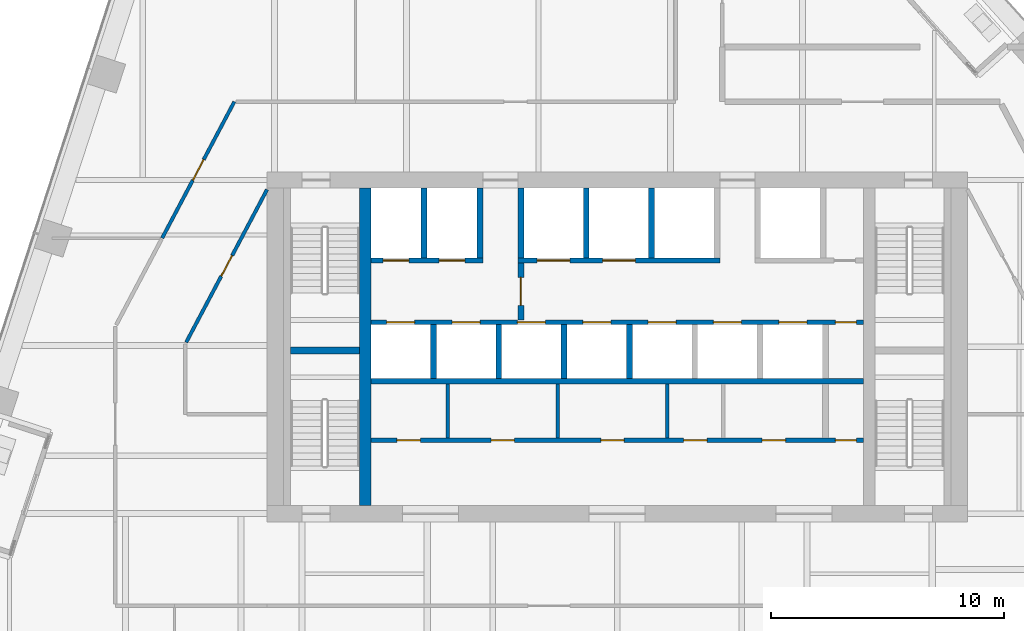
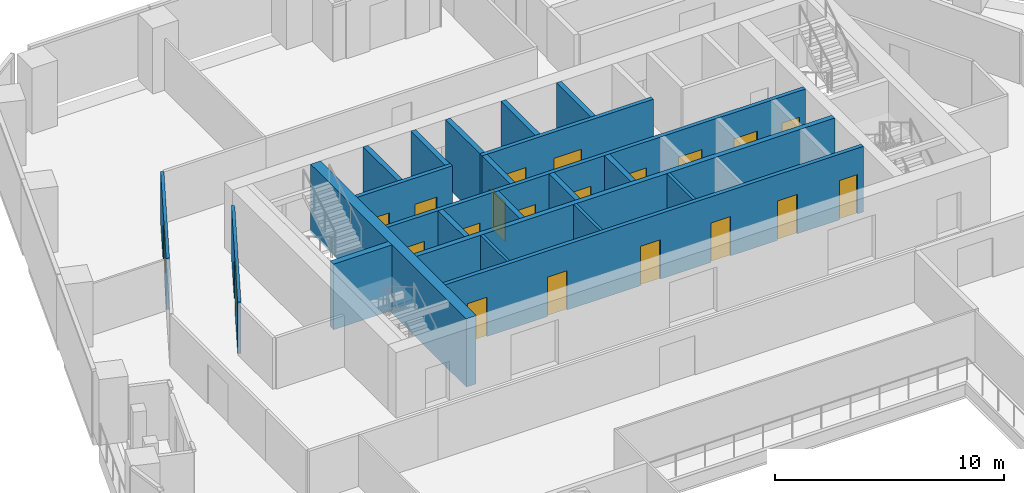
# One storey, part 19 of 25: 22 walls, 21 doors, 21 openings.
"""IFC4 building model written with IfcOpenShell, lengths in metres."""

from ifc_helpers import new_model, si_unit, direction, frame, frame_2d, origin, place, context, subcontext, project, spatial, rectangle, extrude, material, layer, layer_set, type_object, element, fill, save


model = new_model("IFC4")

# Units and contexts
model_context = context("Model", 3, precision=1e-05, world=origin(), true_north=direction((0.0, 1.0)))
body_context = subcontext(model_context, "Body", "Model", "MODEL_VIEW")
ifc_project = project(units=[si_unit("LENGTHUNIT", "METRE"), si_unit("AREAUNIT", "SQUARE_METRE"), si_unit("VOLUMEUNIT", "CUBIC_METRE"), si_unit("PLANEANGLEUNIT", "RADIAN"), si_unit("MASSUNIT", "GRAM", prefix="KILO")], contexts=[model_context])

# Site, building, storey
site_placement = place(None, origin())
site = spatial("IfcSite", under=ifc_project, at=site_placement, CompositionType="ELEMENT")
building_placement = place(site_placement, origin())
building = spatial("IfcBuilding", under=site, at=building_placement, Name="Isthmus Gate Tower", CompositionType="ELEMENT")
storey_placement = place(building_placement, frame((0.0, 0.0, 174.449951171875)))
storey = spatial("IfcBuildingStorey", under=building, at=storey_placement, Name="L43", CompositionType="ELEMENT", Elevation=174.449951171875)

# Wall, opening, door
ifc_material_1 = material(Name="Gypsum board on steel studs, fire-rated", Category="steel")
ifc_layer_1 = layer(ifc_material_1, 0.14990234375)
ifc_layer_set_1 = layer_set([ifc_layer_1], Name="CORRIDOR WALL 150 60 MIN")
wall_type_1 = type_object("IfcWallType", Name="CORRIDOR WALL 150 60 MIN", PredefinedType="PARTITIONING", material=ifc_layer_set_1)
wall_1_placement = place(storey_placement, frame((-15.0, 14.239013671875, 0.0), z_axis=(0.0, 0.0, 1.0), x_axis=(-0.467834708812, -0.88381597928, 0.0)))
wall_1 = element("IfcWall", 1, at=wall_1_placement, inside=storey, type_object=wall_type_1, Name="L43 Corridor Wall 150 60 Min", PredefinedType="PARTITIONING", context=body_context, shape_type="SweptSolid", body=[
    extrude(rectangle(XDim=7.40625, YDim=0.14990234375, at=frame_2d((3.703125, 0.0))), origin(), (0.0, 0.0, 1.0), 2.7412109375),
])
opening_1_placement = place(wall_1_placement, frame((3.203125, 0.0, 0.0)))
opening_1 = element("IfcOpeningElement", 2, at=opening_1_placement, cuts=wall_1, Name="Opening DT-T4A-04", PredefinedType="OPENING", context=body_context, shape_type="SweptSolid", body=[
    extrude(rectangle(XDim=1.0, YDim=2.10009765625, at=frame_2d((0.5, 1.050048828125))), frame((0.0, 0.0849609375, 0.0), z_axis=(0.0, -1.0, 0.0), x_axis=(1.0, 0.0, 0.0)), (0.0, 0.0, 1.0), 0.169921875),
])
ifc_material_2 = material(Name="Solid core timber door leaf, fire-rated", Category="wood")
door_type_1 = type_object("IfcDoorType", Name="FIRE DOOR ROOM 1000 X 2100 60 MIN", OperationType="SINGLE_SWING_LEFT", PredefinedType="DOOR", material=ifc_material_2)
door_1_placement = place(opening_1_placement, origin())
door_1 = element("IfcDoor", 3, at=door_1_placement, inside=storey, type_object=door_type_1, Name="L43 room door", OperationType="SINGLE_SWING_RIGHT", OverallHeight=2.10009765625, OverallWidth=1.0, PredefinedType="DOOR", context=body_context, shape_type="SweptSolid", body=[
    extrude(rectangle(XDim=1.0, YDim=2.10009765625, at=frame_2d((0.5, 1.050048828125))), frame((0.0, 0.02490234375, 0.0), z_axis=(0.0, -1.0, 0.0), x_axis=(1.0, 0.0, 0.0)), (0.0, 0.0, 1.0), 0.050048828125),
])
fill(opening_1, door_1)

wall_2_placement = place(storey_placement, frame((-19.4970703125, 12.156005859375, 0.0), z_axis=(0.0, 0.0, 1.0), x_axis=(0.467901291368, 0.883780731593, 0.0)))
wall_2 = element("IfcWall", 4, at=wall_2_placement, inside=storey, type_object=wall_type_1, Name="L43 Corridor Wall 150 60 Min", PredefinedType="PARTITIONING", context=body_context, shape_type="SweptSolid", body=[
    extrude(rectangle(XDim=6.612548828125, YDim=0.14990234375, at=frame_2d((3.30615234375, 0.0))), origin(), (0.0, 0.0, 1.0), 2.7412109375),
])
opening_2_placement = place(wall_2_placement, frame((2.806396484375, 0.0, 0.0)))
opening_2 = element("IfcOpeningElement", 5, at=opening_2_placement, cuts=wall_2, Name="Opening DT-T4A-03", PredefinedType="OPENING", context=body_context, shape_type="SweptSolid", body=[
    extrude(rectangle(XDim=1.0, YDim=2.10009765625, at=frame_2d((0.5, 1.050048828125))), frame((0.0, 0.0849609375, 0.0), z_axis=(0.0, -1.0, 0.0), x_axis=(1.0, 0.0, 0.0)), (0.0, 0.0, 1.0), 0.169921875),
])
door_2_placement = place(opening_2_placement, origin())
door_2 = element("IfcDoor", 6, at=door_2_placement, inside=storey, type_object=door_type_1, Name="L43 room door", OperationType="SINGLE_SWING_RIGHT", OverallHeight=2.10009765625, OverallWidth=1.0, PredefinedType="DOOR", context=body_context, shape_type="SweptSolid", body=[
    extrude(rectangle(XDim=1.0, YDim=2.10009765625, at=frame_2d((0.5, 1.050048828125))), frame((0.0, 0.02490234375, 0.0), z_axis=(0.0, -1.0, 0.0), x_axis=(1.0, 0.0, 0.0)), (0.0, 0.0, 1.0), 0.050048828125),
])
fill(opening_2, door_2)

ifc_material_3 = material(Name="Fire-rated blockwork masonry, 15 MPa", Category="masonry")
ifc_layer_2 = layer(ifc_material_3, 0.25)
ifc_layer_set_2 = layer_set([ifc_layer_2], Name="FIRE-FIGHTING LOBBY WALL 250 90 MIN")
wall_type_2 = type_object("IfcWallType", Name="FIRE-FIGHTING LOBBY WALL 250 90 MIN", PredefinedType="PARTITIONING", material=ifc_layer_set_2)
wall_3_placement = place(storey_placement, frame((-4.125, 8.64990234375, 0.0), z_axis=(0.0, 0.0, 1.0), x_axis=(0.0, 1.0, 0.0)))
wall_3 = element("IfcWall", 7, at=wall_3_placement, inside=storey, type_object=wall_type_2, Name="L43 FIRE-FIGHTING LOBBY WALL 250 90 MIN", PredefinedType="PARTITIONING", context=body_context, shape_type="SweptSolid", body=[
    extrude(rectangle(XDim=2.4501953125, YDim=0.25, at=frame_2d((1.22509765625, 0.0))), origin(), (0.0, 0.0, 1.0), 3.5),
])
opening_3_placement = place(wall_3_placement, frame((0.625, 0.0, 0.0)))
opening_3 = element("IfcOpeningElement", 8, at=opening_3_placement, cuts=wall_3, Name="Opening DC-A10-01", PredefinedType="OPENING", context=body_context, shape_type="SweptSolid", body=[
    extrude(rectangle(XDim=1.199951171875, YDim=2.10009765625, at=frame_2d((0.60009765625, 1.050048828125))), frame((0.0, 0.135009765625, 0.0), z_axis=(0.0, -1.0, 0.0), x_axis=(1.0, 0.0, 0.0)), (0.0, 0.0, 1.0), 0.27001953125),
])
ifc_material_4 = material(Name="Steel door leaf, fire-rated", Category="steel")
door_type_2 = type_object("IfcDoorType", Name="LOBBY FIRE DOOR 1200 X 2100 90 MIN", OperationType="DOUBLE_DOOR_SINGLE_SWING", PredefinedType="DOOR", material=ifc_material_4)
door_3_placement = place(opening_3_placement, origin())
door_3 = element("IfcDoor", 9, at=door_3_placement, inside=storey, type_object=door_type_2, Name="Fire-fighting Lobby Door", OperationType="SINGLE_SWING_LEFT", OverallHeight=2.10009765625, OverallWidth=1.199951171875, PredefinedType="DOOR", context=body_context, shape_type="SweptSolid", body=[
    extrude(rectangle(XDim=1.199951171875, YDim=2.10009765625, at=frame_2d((0.60009765625, 1.050048828125))), frame((0.0, 0.02490234375, 0.0), z_axis=(0.0, -1.0, 0.0), x_axis=(1.0, 0.0, 0.0)), (0.0, 0.0, 1.0), 0.050048828125),
])
fill(opening_3, door_3)

# Walls
ifc_material_5 = material(Name="Concrete f'c 60 MPa", Category="concrete")
ifc_layer_3 = layer(ifc_material_5, 0.5)
ifc_layer_set_3 = layer_set([ifc_layer_3], Name="RC CORE SPINE WALL 500 F'C 60")
wall_type_3 = type_object("IfcWallType", Name="RC CORE SPINE WALL 500 F'C 60", PredefinedType="SOLIDWALL", material=ifc_layer_set_3)
wall_4_placement = place(storey_placement, frame((-10.800048828125, 0.699951171875, -0.14990234375), z_axis=(0.0, 0.0, 1.0), x_axis=(0.0, 1.0, 0.0)))
element("IfcWall", 10, at=wall_4_placement, inside=storey, type_object=wall_type_3, Name="str-corewall-L43-SPW", PredefinedType="SOLIDWALL", context=body_context, shape_type="SweptSolid", body=[
    extrude(rectangle(XDim=13.60009765625, YDim=0.5, at=frame_2d((6.800048828125, 0.0))), origin(), (0.0, 0.0, 1.0), 3.64990234375),
])
ifc_material_6 = material(Name="Gypsum board on steel studs, fire-rated", Category="steel")
ifc_layer_4 = layer(ifc_material_6, 0.14990234375)
ifc_layer_set_4 = layer_set([ifc_layer_4], Name="ROOM PARTITION 150 60 MIN")
wall_type_4 = type_object("IfcWallType", Name="ROOM PARTITION 150 60 MIN", PredefinedType="PARTITIONING", material=ifc_layer_set_4)
for number, where, z_axis, x_axis, name in (
    (11, (-7.25, 3.60009765625, 0.0), (0.0, 0.0, 1.0), (0.0, 1.0, 0.0), "L43 ROOM PARTITION 150 60 MIN"),
    (12, (-2.550048828125, 3.60009765625, 0.0), (0.0, 0.0, 1.0), (0.0, 1.0, 0.0), "L43 ROOM PARTITION 150 60 MIN"),
    (13, (2.14990234375, 3.60009765625, 0.0), (0.0, 0.0, 1.0), (0.0, 1.0, 0.0), "L43 ROOM PARTITION 150 60 MIN"),
):
    element("IfcWall", number, at=place(storey_placement, frame(where, z_axis=z_axis, x_axis=x_axis)), inside=storey, type_object=wall_type_4, Name=name, PredefinedType="PARTITIONING", context=body_context, shape_type="SweptSolid", body=[
        extrude(rectangle(XDim=2.2998046875, YDim=0.14990234375, at=frame_2d((1.14990234375, 0.0))), origin(), (0.0, 0.0, 1.0), 3.5),
    ])

# Wall, openings, doors
ifc_material_7 = material(Name="Fire-rated blockwork masonry, 15 MPa", Category="masonry")
ifc_layer_5 = layer(ifc_material_7, 0.199951171875)
ifc_layer_set_5 = layer_set([ifc_layer_5], Name="SHAFT FRONT WALL 200 120 MIN")
wall_type_5 = type_object("IfcWallType", Name="SHAFT FRONT WALL 200 120 MIN", PredefinedType="PARTITIONING", material=ifc_layer_set_5)
wall_5_placement = place(storey_placement, frame((-10.550048828125, 3.5, 0.0), z_axis=(0.0, 0.0, 1.0), x_axis=(1.0, 0.0, 0.0)))
wall_5 = element("IfcWall", 14, at=wall_5_placement, inside=storey, type_object=wall_type_5, Name="L43 SHAFT FRONT WALL 200 120 MIN", PredefinedType="PARTITIONING", context=body_context, shape_type="SweptSolid", body=[
    extrude(rectangle(XDim=21.10009765625, YDim=0.199951171875, at=frame_2d((10.550048828125, 0.0))), origin(), (0.0, 0.0, 1.0), 3.5),
])
opening_4_placement = place(wall_5_placement, frame((1.112548828125, 0.0, 0.0)))
opening_4 = element("IfcOpeningElement", 15, at=opening_4_placement, cuts=wall_5, Name="Opening DC-A10-02", PredefinedType="OPENING", context=body_context, shape_type="SweptSolid", body=[
    extrude(rectangle(XDim=1.0, YDim=2.10009765625, at=frame_2d((0.5, 1.050048828125))), frame((0.0, 0.10986328125, 0.0), z_axis=(0.0, -1.0, 0.0), x_axis=(1.0, 0.0, 0.0)), (0.0, 0.0, 1.0), 0.219970703125),
])
opening_5_placement = place(wall_5_placement, frame((5.14990234375, 0.0, 0.0)))
opening_5 = element("IfcOpeningElement", 16, at=opening_5_placement, cuts=wall_5, Name="Opening DC-A10-03", PredefinedType="OPENING", context=body_context, shape_type="SweptSolid", body=[
    extrude(rectangle(XDim=1.0, YDim=2.10009765625, at=frame_2d((0.5, 1.050048828125))), frame((0.0, 0.10986328125, 0.0), z_axis=(0.0, -1.0, 0.0), x_axis=(1.0, 0.0, 0.0)), (0.0, 0.0, 1.0), 0.219970703125),
])
opening_6_placement = place(wall_5_placement, frame((9.85009765625, 0.0, 0.0)))
opening_6 = element("IfcOpeningElement", 17, at=opening_6_placement, cuts=wall_5, Name="Opening DC-A10-04", PredefinedType="OPENING", context=body_context, shape_type="SweptSolid", body=[
    extrude(rectangle(XDim=1.0, YDim=2.10009765625, at=frame_2d((0.5, 1.050048828125))), frame((0.0, 0.10986328125, 0.0), z_axis=(0.0, -1.0, 0.0), x_axis=(1.0, 0.0, 0.0)), (0.0, 0.0, 1.0), 0.219970703125),
])
opening_7_placement = place(wall_5_placement, frame((13.39990234375, 0.0, 0.0)))
opening_7 = element("IfcOpeningElement", 18, at=opening_7_placement, cuts=wall_5, Name="Opening DC-A10-05", PredefinedType="OPENING", context=body_context, shape_type="SweptSolid", body=[
    extrude(rectangle(XDim=1.0, YDim=2.10009765625, at=frame_2d((0.5, 1.050048828125))), frame((0.0, 0.10986328125, 0.0), z_axis=(0.0, -1.0, 0.0), x_axis=(1.0, 0.0, 0.0)), (0.0, 0.0, 1.0), 0.219970703125),
])
opening_8_placement = place(wall_5_placement, frame((16.762451171875, 0.0, 0.0)))
opening_8 = element("IfcOpeningElement", 19, at=opening_8_placement, cuts=wall_5, Name="Opening DC-A10-06", PredefinedType="OPENING", context=body_context, shape_type="SweptSolid", body=[
    extrude(rectangle(XDim=1.0, YDim=2.10009765625, at=frame_2d((0.5, 1.050048828125))), frame((0.0, 0.10986328125, 0.0), z_axis=(0.0, -1.0, 0.0), x_axis=(1.0, 0.0, 0.0)), (0.0, 0.0, 1.0), 0.219970703125),
])
opening_9_placement = place(wall_5_placement, frame((19.89990234375, 0.0, 0.0)))
opening_9 = element("IfcOpeningElement", 20, at=opening_9_placement, cuts=wall_5, Name="Opening DC-A10-07", PredefinedType="OPENING", context=body_context, shape_type="SweptSolid", body=[
    extrude(rectangle(XDim=0.89990234375, YDim=2.10009765625, at=frame_2d((0.449951171875, 1.050048828125))), frame((0.0, 0.10986328125, 0.0), z_axis=(0.0, -1.0, 0.0), x_axis=(1.0, 0.0, 0.0)), (0.0, 0.0, 1.0), 0.219970703125),
])
ifc_material_8 = material(Name="Steel door leaf, fire-rated", Category="steel")
door_type_3 = type_object("IfcDoorType", Name="FIRE DOOR 1000 X 2100 60 MIN", OperationType="SINGLE_SWING_LEFT", PredefinedType="DOOR", material=ifc_material_8)
door_4_placement = place(opening_4_placement, origin())
door_4 = element("IfcDoor", 21, at=door_4_placement, inside=storey, type_object=door_type_3, Name="Janitor Store Door", OperationType="SINGLE_SWING_LEFT", OverallHeight=2.10009765625, OverallWidth=1.0, PredefinedType="DOOR", context=body_context, shape_type="SweptSolid", body=[
    extrude(rectangle(XDim=1.0, YDim=2.10009765625, at=frame_2d((0.5, 1.050048828125))), frame((0.0, 0.02490234375, 0.0), z_axis=(0.0, -1.0, 0.0), x_axis=(1.0, 0.0, 0.0)), (0.0, 0.0, 1.0), 0.050048828125),
])
fill(opening_4, door_4)
door_5_placement = place(opening_5_placement, origin())
door_5 = element("IfcDoor", 22, at=door_5_placement, inside=storey, type_object=door_type_3, Name="WC Women Door", OperationType="SINGLE_SWING_RIGHT", OverallHeight=2.10009765625, OverallWidth=1.0, PredefinedType="DOOR", context=body_context, shape_type="SweptSolid", body=[
    extrude(rectangle(XDim=1.0, YDim=2.10009765625, at=frame_2d((0.5, 1.050048828125))), frame((0.0, 0.02490234375, 0.0), z_axis=(0.0, -1.0, 0.0), x_axis=(1.0, 0.0, 0.0)), (0.0, 0.0, 1.0), 0.050048828125),
])
fill(opening_5, door_5)
door_6_placement = place(opening_6_placement, origin())
door_6 = element("IfcDoor", 23, at=door_6_placement, inside=storey, type_object=door_type_3, Name="WC Men Door", OperationType="SINGLE_SWING_LEFT", OverallHeight=2.10009765625, OverallWidth=1.0, PredefinedType="DOOR", context=body_context, shape_type="SweptSolid", body=[
    extrude(rectangle(XDim=1.0, YDim=2.10009765625, at=frame_2d((0.5, 1.050048828125))), frame((0.0, 0.02490234375, 0.0), z_axis=(0.0, -1.0, 0.0), x_axis=(1.0, 0.0, 0.0)), (0.0, 0.0, 1.0), 0.050048828125),
])
fill(opening_6, door_6)
door_7_placement = place(opening_7_placement, origin())
door_7 = element("IfcDoor", 24, at=door_7_placement, inside=storey, type_object=door_type_3, Name="Accessible WC Door", OperationType="SINGLE_SWING_RIGHT", OverallHeight=2.10009765625, OverallWidth=1.0, PredefinedType="DOOR", context=body_context, shape_type="SweptSolid", body=[
    extrude(rectangle(XDim=1.0, YDim=2.10009765625, at=frame_2d((0.5, 1.050048828125))), frame((0.0, 0.02490234375, 0.0), z_axis=(0.0, -1.0, 0.0), x_axis=(1.0, 0.0, 0.0)), (0.0, 0.0, 1.0), 0.050048828125),
])
fill(opening_7, door_7)
door_8_placement = place(opening_8_placement, origin())
door_8 = element("IfcDoor", 25, at=door_8_placement, inside=storey, type_object=door_type_3, Name="Print Room Door", OperationType="SINGLE_SWING_LEFT", OverallHeight=2.10009765625, OverallWidth=1.0, PredefinedType="DOOR", context=body_context, shape_type="SweptSolid", body=[
    extrude(rectangle(XDim=1.0, YDim=2.10009765625, at=frame_2d((0.5, 1.050048828125))), frame((0.0, 0.02490234375, 0.0), z_axis=(0.0, -1.0, 0.0), x_axis=(1.0, 0.0, 0.0)), (0.0, 0.0, 1.0), 0.050048828125),
])
fill(opening_8, door_8)
ifc_material_9 = material(Name="Steel door leaf, fire-rated", Category="steel")
door_type_4 = type_object("IfcDoorType", Name="RISER FIRE DOOR 900 X 2100 90 MIN", OperationType="SINGLE_SWING_LEFT", PredefinedType="DOOR", material=ifc_material_9)
door_9_placement = place(opening_9_placement, origin())
door_9 = element("IfcDoor", 26, at=door_9_placement, inside=storey, type_object=door_type_4, Name="Riser Door", OperationType="SINGLE_SWING_RIGHT", OverallHeight=2.10009765625, OverallWidth=0.89990234375, PredefinedType="DOOR", context=body_context, shape_type="SweptSolid", body=[
    extrude(rectangle(XDim=0.89990234375, YDim=2.10009765625, at=frame_2d((0.449951171875, 1.050048828125))), frame((0.0, 0.02490234375, 0.0), z_axis=(0.0, -1.0, 0.0), x_axis=(1.0, 0.0, 0.0)), (0.0, 0.0, 1.0), 0.050048828125),
])
fill(opening_9, door_9)

wall_6_placement = place(storey_placement, frame((-10.550048828125, 8.550048828125, 0.0), z_axis=(0.0, 0.0, 1.0), x_axis=(1.0, 0.0, 0.0)))
wall_6 = element("IfcWall", 27, at=wall_6_placement, inside=storey, type_object=wall_type_5, Name="L43 SHAFT FRONT WALL 200 120 MIN", PredefinedType="PARTITIONING", context=body_context, shape_type="SweptSolid", body=[
    extrude(rectangle(XDim=21.10009765625, YDim=0.199951171875, at=frame_2d((10.550048828125, 0.0))), origin(), (0.0, 0.0, 1.0), 3.5),
])
opening_10_placement = place(wall_6_placement, frame((0.675048828125, 0.0, 0.0)))
opening_10 = element("IfcOpeningElement", 28, at=opening_10_placement, cuts=wall_6, Name="Opening LD-LB1", PredefinedType="OPENING", context=body_context, shape_type="SweptSolid", body=[
    extrude(rectangle(XDim=1.199951171875, YDim=2.10009765625, at=frame_2d((0.60009765625, 1.050048828125))), frame((0.0, 0.10986328125, 0.0), z_axis=(0.0, -1.0, 0.0), x_axis=(1.0, 0.0, 0.0)), (0.0, 0.0, 1.0), 0.219970703125),
])
opening_11_placement = place(wall_6_placement, frame((3.47509765625, 0.0, 0.0)))
opening_11 = element("IfcOpeningElement", 29, at=opening_11_placement, cuts=wall_6, Name="Opening LD-LB2", PredefinedType="OPENING", context=body_context, shape_type="SweptSolid", body=[
    extrude(rectangle(XDim=1.199951171875, YDim=2.10009765625, at=frame_2d((0.60009765625, 1.050048828125))), frame((0.0, 0.10986328125, 0.0), z_axis=(0.0, -1.0, 0.0), x_axis=(1.0, 0.0, 0.0)), (0.0, 0.0, 1.0), 0.219970703125),
])
opening_12_placement = place(wall_6_placement, frame((6.27490234375, 0.0, 0.0)))
opening_12 = element("IfcOpeningElement", 30, at=opening_12_placement, cuts=wall_6, Name="Opening LD-LB3", PredefinedType="OPENING", context=body_context, shape_type="SweptSolid", body=[
    extrude(rectangle(XDim=1.199951171875, YDim=2.10009765625, at=frame_2d((0.60009765625, 1.050048828125))), frame((0.0, 0.10986328125, 0.0), z_axis=(0.0, -1.0, 0.0), x_axis=(1.0, 0.0, 0.0)), (0.0, 0.0, 1.0), 0.219970703125),
])
opening_13_placement = place(wall_6_placement, frame((9.074951171875, 0.0, 0.0)))
opening_13 = element("IfcOpeningElement", 31, at=opening_13_placement, cuts=wall_6, Name="Opening LD-LB4", PredefinedType="OPENING", context=body_context, shape_type="SweptSolid", body=[
    extrude(rectangle(XDim=1.199951171875, YDim=2.10009765625, at=frame_2d((0.60009765625, 1.050048828125))), frame((0.0, 0.10986328125, 0.0), z_axis=(0.0, -1.0, 0.0), x_axis=(1.0, 0.0, 0.0)), (0.0, 0.0, 1.0), 0.219970703125),
])
opening_14_placement = place(wall_6_placement, frame((11.875, 0.0, 0.0)))
opening_14 = element("IfcOpeningElement", 32, at=opening_14_placement, cuts=wall_6, Name="Opening LD-LB5", PredefinedType="OPENING", context=body_context, shape_type="SweptSolid", body=[
    extrude(rectangle(XDim=1.199951171875, YDim=2.10009765625, at=frame_2d((0.60009765625, 1.050048828125))), frame((0.0, 0.10986328125, 0.0), z_axis=(0.0, -1.0, 0.0), x_axis=(1.0, 0.0, 0.0)), (0.0, 0.0, 1.0), 0.219970703125),
])
opening_15_placement = place(wall_6_placement, frame((14.675048828125, 0.0, 0.0)))
opening_15 = element("IfcOpeningElement", 33, at=opening_15_placement, cuts=wall_6, Name="Opening LD-LB6", PredefinedType="OPENING", context=body_context, shape_type="SweptSolid", body=[
    extrude(rectangle(XDim=1.199951171875, YDim=2.10009765625, at=frame_2d((0.60009765625, 1.050048828125))), frame((0.0, 0.10986328125, 0.0), z_axis=(0.0, -1.0, 0.0), x_axis=(1.0, 0.0, 0.0)), (0.0, 0.0, 1.0), 0.219970703125),
])
opening_16_placement = place(wall_6_placement, frame((17.47509765625, 0.0, 0.0)))
opening_16 = element("IfcOpeningElement", 34, at=opening_16_placement, cuts=wall_6, Name="Opening LD-LB7", PredefinedType="OPENING", context=body_context, shape_type="SweptSolid", body=[
    extrude(rectangle(XDim=1.199951171875, YDim=2.10009765625, at=frame_2d((0.60009765625, 1.050048828125))), frame((0.0, 0.10986328125, 0.0), z_axis=(0.0, -1.0, 0.0), x_axis=(1.0, 0.0, 0.0)), (0.0, 0.0, 1.0), 0.219970703125),
])
opening_17_placement = place(wall_6_placement, frame((19.89990234375, 0.0, 0.0)))
opening_17 = element("IfcOpeningElement", 35, at=opening_17_placement, cuts=wall_6, Name="Opening DC-A10-08", PredefinedType="OPENING", context=body_context, shape_type="SweptSolid", body=[
    extrude(rectangle(XDim=0.89990234375, YDim=2.10009765625, at=frame_2d((0.449951171875, 1.050048828125))), frame((0.0, 0.10986328125, 0.0), z_axis=(0.0, -1.0, 0.0), x_axis=(1.0, 0.0, 0.0)), (0.0, 0.0, 1.0), 0.219970703125),
])
ifc_material_10 = material(Name="Stainless steel sliding leaf", Category="steel")
door_type_5 = type_object("IfcDoorType", Name="LIFT LANDING FIRE DOOR 1200 X 2100 90 MIN", OperationType="DOUBLE_DOOR_SLIDING", PredefinedType="DOOR", material=ifc_material_10)
door_10_placement = place(opening_10_placement, origin())
door_10 = element("IfcDoor", 36, at=door_10_placement, inside=storey, type_object=door_type_5, Name="Lift Landing Door LB1", OperationType="DOUBLE_DOOR_SLIDING", OverallHeight=2.10009765625, OverallWidth=1.199951171875, PredefinedType="DOOR", context=body_context, shape_type="SweptSolid", body=[
    extrude(rectangle(XDim=1.199951171875, YDim=2.10009765625, at=frame_2d((0.60009765625, 1.050048828125))), frame((0.0, 0.02490234375, 0.0), z_axis=(0.0, -1.0, 0.0), x_axis=(1.0, 0.0, 0.0)), (0.0, 0.0, 1.0), 0.050048828125),
])
fill(opening_10, door_10)
door_11_placement = place(opening_11_placement, origin())
door_11 = element("IfcDoor", 37, at=door_11_placement, inside=storey, type_object=door_type_5, Name="Lift Landing Door LB2", OperationType="DOUBLE_DOOR_SLIDING", OverallHeight=2.10009765625, OverallWidth=1.199951171875, PredefinedType="DOOR", context=body_context, shape_type="SweptSolid", body=[
    extrude(rectangle(XDim=1.199951171875, YDim=2.10009765625, at=frame_2d((0.60009765625, 1.050048828125))), frame((0.0, 0.02490234375, 0.0), z_axis=(0.0, -1.0, 0.0), x_axis=(1.0, 0.0, 0.0)), (0.0, 0.0, 1.0), 0.050048828125),
])
fill(opening_11, door_11)
door_12_placement = place(opening_12_placement, origin())
door_12 = element("IfcDoor", 38, at=door_12_placement, inside=storey, type_object=door_type_5, Name="Lift Landing Door LB3", OperationType="DOUBLE_DOOR_SLIDING", OverallHeight=2.10009765625, OverallWidth=1.199951171875, PredefinedType="DOOR", context=body_context, shape_type="SweptSolid", body=[
    extrude(rectangle(XDim=1.199951171875, YDim=2.10009765625, at=frame_2d((0.60009765625, 1.050048828125))), frame((0.0, 0.02490234375, 0.0), z_axis=(0.0, -1.0, 0.0), x_axis=(1.0, 0.0, 0.0)), (0.0, 0.0, 1.0), 0.050048828125),
])
fill(opening_12, door_12)
door_13_placement = place(opening_13_placement, origin())
door_13 = element("IfcDoor", 39, at=door_13_placement, inside=storey, type_object=door_type_5, Name="Lift Landing Door LB4", OperationType="DOUBLE_DOOR_SLIDING", OverallHeight=2.10009765625, OverallWidth=1.199951171875, PredefinedType="DOOR", context=body_context, shape_type="SweptSolid", body=[
    extrude(rectangle(XDim=1.199951171875, YDim=2.10009765625, at=frame_2d((0.60009765625, 1.050048828125))), frame((0.0, 0.02490234375, 0.0), z_axis=(0.0, -1.0, 0.0), x_axis=(1.0, 0.0, 0.0)), (0.0, 0.0, 1.0), 0.050048828125),
])
fill(opening_13, door_13)
door_14_placement = place(opening_14_placement, origin())
door_14 = element("IfcDoor", 40, at=door_14_placement, inside=storey, type_object=door_type_5, Name="Lift Landing Door LB5", OperationType="DOUBLE_DOOR_SLIDING", OverallHeight=2.10009765625, OverallWidth=1.199951171875, PredefinedType="DOOR", context=body_context, shape_type="SweptSolid", body=[
    extrude(rectangle(XDim=1.199951171875, YDim=2.10009765625, at=frame_2d((0.60009765625, 1.050048828125))), frame((0.0, 0.02490234375, 0.0), z_axis=(0.0, -1.0, 0.0), x_axis=(1.0, 0.0, 0.0)), (0.0, 0.0, 1.0), 0.050048828125),
])
fill(opening_14, door_14)
door_15_placement = place(opening_15_placement, origin())
door_15 = element("IfcDoor", 41, at=door_15_placement, inside=storey, type_object=door_type_5, Name="Lift Landing Door LB6", OperationType="DOUBLE_DOOR_SLIDING", OverallHeight=2.10009765625, OverallWidth=1.199951171875, PredefinedType="DOOR", context=body_context, shape_type="SweptSolid", body=[
    extrude(rectangle(XDim=1.199951171875, YDim=2.10009765625, at=frame_2d((0.60009765625, 1.050048828125))), frame((0.0, 0.02490234375, 0.0), z_axis=(0.0, -1.0, 0.0), x_axis=(1.0, 0.0, 0.0)), (0.0, 0.0, 1.0), 0.050048828125),
])
fill(opening_15, door_15)
door_16_placement = place(opening_16_placement, origin())
door_16 = element("IfcDoor", 42, at=door_16_placement, inside=storey, type_object=door_type_5, Name="Lift Landing Door LB7", OperationType="DOUBLE_DOOR_SLIDING", OverallHeight=2.10009765625, OverallWidth=1.199951171875, PredefinedType="DOOR", context=body_context, shape_type="SweptSolid", body=[
    extrude(rectangle(XDim=1.199951171875, YDim=2.10009765625, at=frame_2d((0.60009765625, 1.050048828125))), frame((0.0, 0.02490234375, 0.0), z_axis=(0.0, -1.0, 0.0), x_axis=(1.0, 0.0, 0.0)), (0.0, 0.0, 1.0), 0.050048828125),
])
fill(opening_16, door_16)
door_17_placement = place(opening_17_placement, origin())
door_17 = element("IfcDoor", 43, at=door_17_placement, inside=storey, type_object=door_type_4, Name="Riser Door", OperationType="SINGLE_SWING_RIGHT", OverallHeight=2.10009765625, OverallWidth=0.89990234375, PredefinedType="DOOR", context=body_context, shape_type="SweptSolid", body=[
    extrude(rectangle(XDim=0.89990234375, YDim=2.10009765625, at=frame_2d((0.449951171875, 1.050048828125))), frame((0.0, 0.02490234375, 0.0), z_axis=(0.0, -1.0, 0.0), x_axis=(1.0, 0.0, 0.0)), (0.0, 0.0, 1.0), 0.050048828125),
])
fill(opening_17, door_17)

wall_7_placement = place(storey_placement, frame((-10.550048828125, 11.199951171875, 0.0), z_axis=(0.0, 0.0, 1.0), x_axis=(1.0, 0.0, 0.0)))
wall_7 = element("IfcWall", 44, at=wall_7_placement, inside=storey, type_object=wall_type_5, Name="L43 SHAFT FRONT WALL 200 120 MIN", PredefinedType="PARTITIONING", context=body_context, shape_type="SweptSolid", body=[
    extrude(rectangle(XDim=4.800048828125, YDim=0.199951171875, at=frame_2d((2.39990234375, 0.0))), origin(), (0.0, 0.0, 1.0), 3.5),
])
opening_18_placement = place(wall_7_placement, frame((0.52490234375, 0.0, 0.0)))
opening_18 = element("IfcOpeningElement", 45, at=opening_18_placement, cuts=wall_7, Name="Opening LD-LF1", PredefinedType="OPENING", context=body_context, shape_type="SweptSolid", body=[
    extrude(rectangle(XDim=1.10009765625, YDim=2.10009765625, at=frame_2d((0.550048828125, 1.050048828125))), frame((0.0, 0.10986328125, 0.0), z_axis=(0.0, -1.0, 0.0), x_axis=(1.0, 0.0, 0.0)), (0.0, 0.0, 1.0), 0.219970703125),
])
opening_19_placement = place(wall_7_placement, frame((2.925048828125, 0.0, 0.0)))
opening_19 = element("IfcOpeningElement", 46, at=opening_19_placement, cuts=wall_7, Name="Opening LD-LF2", PredefinedType="OPENING", context=body_context, shape_type="SweptSolid", body=[
    extrude(rectangle(XDim=1.10009765625, YDim=2.10009765625, at=frame_2d((0.550048828125, 1.050048828125))), frame((0.0, 0.10986328125, 0.0), z_axis=(0.0, -1.0, 0.0), x_axis=(1.0, 0.0, 0.0)), (0.0, 0.0, 1.0), 0.219970703125),
])
ifc_material_11 = material(Name="Stainless steel sliding leaf", Category="steel")
door_type_6 = type_object("IfcDoorType", Name="LIFT LANDING FIRE DOOR 1100 X 2100 90 MIN", OperationType="DOUBLE_DOOR_SLIDING", PredefinedType="DOOR", material=ifc_material_11)
door_18_placement = place(opening_18_placement, origin())
door_18 = element("IfcDoor", 47, at=door_18_placement, inside=storey, type_object=door_type_6, Name="Lift Landing Door LF1", OperationType="DOUBLE_DOOR_SLIDING", OverallHeight=2.10009765625, OverallWidth=1.10009765625, PredefinedType="DOOR", context=body_context, shape_type="SweptSolid", body=[
    extrude(rectangle(XDim=1.10009765625, YDim=2.10009765625, at=frame_2d((0.550048828125, 1.050048828125))), frame((0.0, 0.02490234375, 0.0), z_axis=(0.0, -1.0, 0.0), x_axis=(1.0, 0.0, 0.0)), (0.0, 0.0, 1.0), 0.050048828125),
])
fill(opening_18, door_18)
door_19_placement = place(opening_19_placement, origin())
door_19 = element("IfcDoor", 48, at=door_19_placement, inside=storey, type_object=door_type_6, Name="Lift Landing Door LF2", OperationType="DOUBLE_DOOR_SLIDING", OverallHeight=2.10009765625, OverallWidth=1.10009765625, PredefinedType="DOOR", context=body_context, shape_type="SweptSolid", body=[
    extrude(rectangle(XDim=1.10009765625, YDim=2.10009765625, at=frame_2d((0.550048828125, 1.050048828125))), frame((0.0, 0.02490234375, 0.0), z_axis=(0.0, -1.0, 0.0), x_axis=(1.0, 0.0, 0.0)), (0.0, 0.0, 1.0), 0.050048828125),
])
fill(opening_19, door_19)

wall_8_placement = place(storey_placement, frame((-4.25, 11.199951171875, 0.0), z_axis=(0.0, 0.0, 1.0), x_axis=(1.0, 0.0, 0.0)))
wall_8 = element("IfcWall", 49, at=wall_8_placement, inside=storey, type_object=wall_type_5, Name="L43 SHAFT FRONT WALL 200 120 MIN", PredefinedType="PARTITIONING", context=body_context, shape_type="SweptSolid", body=[
    extrude(rectangle(XDim=8.64990234375, YDim=0.199951171875, at=frame_2d((4.324951171875, 0.0))), origin(), (0.0, 0.0, 1.0), 3.5),
])
opening_20_placement = place(wall_8_placement, frame((0.824951171875, 0.0, 0.0)))
opening_20 = element("IfcOpeningElement", 50, at=opening_20_placement, cuts=wall_8, Name="Opening LD-LV1", PredefinedType="OPENING", context=body_context, shape_type="SweptSolid", body=[
    extrude(rectangle(XDim=1.39990234375, YDim=2.10009765625, at=frame_2d((0.699951171875, 1.050048828125))), frame((0.0, 0.10986328125, 0.0), z_axis=(0.0, -1.0, 0.0), x_axis=(1.0, 0.0, 0.0)), (0.0, 0.0, 1.0), 0.219970703125),
])
opening_21_placement = place(wall_8_placement, frame((3.625, 0.0, 0.0)))
opening_21 = element("IfcOpeningElement", 51, at=opening_21_placement, cuts=wall_8, Name="Opening LD-LV2", PredefinedType="OPENING", context=body_context, shape_type="SweptSolid", body=[
    extrude(rectangle(XDim=1.39990234375, YDim=2.10009765625, at=frame_2d((0.699951171875, 1.050048828125))), frame((0.0, 0.10986328125, 0.0), z_axis=(0.0, -1.0, 0.0), x_axis=(1.0, 0.0, 0.0)), (0.0, 0.0, 1.0), 0.219970703125),
])
ifc_material_12 = material(Name="Stainless steel sliding leaf", Category="steel")
door_type_7 = type_object("IfcDoorType", Name="LIFT LANDING FIRE DOOR 1400 X 2100 90 MIN", OperationType="DOUBLE_DOOR_SLIDING", PredefinedType="DOOR", material=ifc_material_12)
door_20_placement = place(opening_20_placement, origin())
door_20 = element("IfcDoor", 52, at=door_20_placement, inside=storey, type_object=door_type_7, Name="Lift Landing Door LV1", OperationType="DOUBLE_DOOR_SLIDING", OverallHeight=2.10009765625, OverallWidth=1.39990234375, PredefinedType="DOOR", context=body_context, shape_type="SweptSolid", body=[
    extrude(rectangle(XDim=1.39990234375, YDim=2.10009765625, at=frame_2d((0.699951171875, 1.050048828125))), frame((0.0, 0.02490234375, 0.0), z_axis=(0.0, -1.0, 0.0), x_axis=(1.0, 0.0, 0.0)), (0.0, 0.0, 1.0), 0.050048828125),
])
fill(opening_20, door_20)
door_21_placement = place(opening_21_placement, origin())
door_21 = element("IfcDoor", 53, at=door_21_placement, inside=storey, type_object=door_type_7, Name="Lift Landing Door LV2", OperationType="DOUBLE_DOOR_SLIDING", OverallHeight=2.10009765625, OverallWidth=1.39990234375, PredefinedType="DOOR", context=body_context, shape_type="SweptSolid", body=[
    extrude(rectangle(XDim=1.39990234375, YDim=2.10009765625, at=frame_2d((0.699951171875, 1.050048828125))), frame((0.0, 0.02490234375, 0.0), z_axis=(0.0, -1.0, 0.0), x_axis=(1.0, 0.0, 0.0)), (0.0, 0.0, 1.0), 0.050048828125),
])
fill(opening_21, door_21)

# Walls
ifc_material_13 = material(Name="Fire-rated blockwork masonry, 15 MPa", Category="masonry")
ifc_layer_6 = layer(ifc_material_13, 0.25)
ifc_layer_set_6 = layer_set([ifc_layer_6], Name="SHAFT WALL 250 120 MIN")
wall_type_6 = type_object("IfcWallType", Name="SHAFT WALL 250 120 MIN", PredefinedType="PARTITIONING", material=ifc_layer_set_6)
wall_9_placement = place(storey_placement, frame((-10.550048828125, 6.02490234375, 0.0), z_axis=(0.0, 0.0, 1.0), x_axis=(1.0, 0.0, 0.0)))
element("IfcWall", 54, at=wall_9_placement, inside=storey, type_object=wall_type_6, Name="L43 SHAFT WALL 250 120 MIN", PredefinedType="PARTITIONING", context=body_context, shape_type="SweptSolid", body=[
    extrude(rectangle(XDim=21.10009765625, YDim=0.25, at=frame_2d((10.550048828125, 0.0))), origin(), (0.0, 0.0, 1.0), 3.5),
])
for number, where, z_axis, x_axis, name in (
    (55, (-7.875, 6.14990234375, 0.0), (0.0, 0.0, 1.0), (0.0, 1.0, 0.0), "L43 SHAFT WALL 250 120 MIN"),
    (56, (-5.074951171875, 6.14990234375, 0.0), (0.0, 0.0, 1.0), (0.0, 1.0, 0.0), "L43 SHAFT WALL 250 120 MIN"),
    (57, (-2.27490234375, 6.14990234375, 0.0), (0.0, 0.0, 1.0), (0.0, 1.0, 0.0), "L43 SHAFT WALL 250 120 MIN"),
    (58, (0.52490234375, 6.14990234375, 0.0), (0.0, 0.0, 1.0), (0.0, 1.0, 0.0), "L43 SHAFT WALL 250 120 MIN"),
):
    element("IfcWall", number, at=place(storey_placement, frame(where, z_axis=z_axis, x_axis=x_axis)), inside=storey, type_object=wall_type_6, Name=name, PredefinedType="PARTITIONING", context=body_context, shape_type="SweptSolid", body=[
        extrude(rectangle(XDim=2.300048828125, YDim=0.25, at=frame_2d((1.14990234375, 0.0))), origin(), (0.0, 0.0, 1.0), 3.5),
    ])
for number, where, z_axis, x_axis, name in (
    (59, (-8.27490234375, 11.300048828125, 0.0), (0.0, 0.0, 1.0), (0.0, 1.0, 0.0), "L43 SHAFT WALL 250 120 MIN"),
    (60, (-5.875, 11.300048828125, 0.0), (0.0, 0.0, 1.0), (0.0, 1.0, 0.0), "L43 SHAFT WALL 250 120 MIN"),
    (61, (-4.125, 11.300048828125, 0.0), (0.0, 0.0, 1.0), (0.0, 1.0, 0.0), "L43 SHAFT WALL 250 120 MIN"),
    (62, (-1.324951171875, 11.300048828125, 0.0), (0.0, 0.0, 1.0), (0.0, 1.0, 0.0), "L43 SHAFT WALL 250 120 MIN"),
    (63, (1.47509765625, 11.300048828125, 0.0), (0.0, 0.0, 1.0), (0.0, 1.0, 0.0), "L43 SHAFT WALL 250 120 MIN"),
):
    element("IfcWall", number, at=place(storey_placement, frame(where, z_axis=z_axis, x_axis=x_axis)), inside=storey, type_object=wall_type_6, Name=name, PredefinedType="PARTITIONING", context=body_context, shape_type="SweptSolid", body=[
        extrude(rectangle(XDim=3.0, YDim=0.25, at=frame_2d((1.5, 0.0))), origin(), (0.0, 0.0, 1.0), 3.5),
    ])
ifc_material_14 = material(Name="Concrete f'c 40 MPa", Category="concrete")
ifc_layer_7 = layer(ifc_material_14, 0.300048828125)
ifc_layer_set_7 = layer_set([ifc_layer_7], Name="STAIR ENCLOSURE WALL 300 180 MIN")
wall_type_7 = type_object("IfcWallType", Name="STAIR ENCLOSURE WALL 300 180 MIN", PredefinedType="SOLIDWALL", material=ifc_layer_set_7)
wall_10_placement = place(storey_placement, frame((-14.0, 7.35009765625, 0.0), z_axis=(0.0, 0.0, 1.0), x_axis=(1.0, 0.0, 0.0)))
element("IfcWall", 64, at=wall_10_placement, inside=storey, type_object=wall_type_7, Name="L43 STAIR ENCLOSURE WALL 300 180 MIN", PredefinedType="SOLIDWALL", context=body_context, shape_type="SweptSolid", body=[
    extrude(rectangle(XDim=2.949951171875, YDim=0.300048828125, at=frame_2d((1.47509765625, 0.0))), origin(), (0.0, 0.0, 1.0), 3.5),
])

save(model, "model.ifc")
